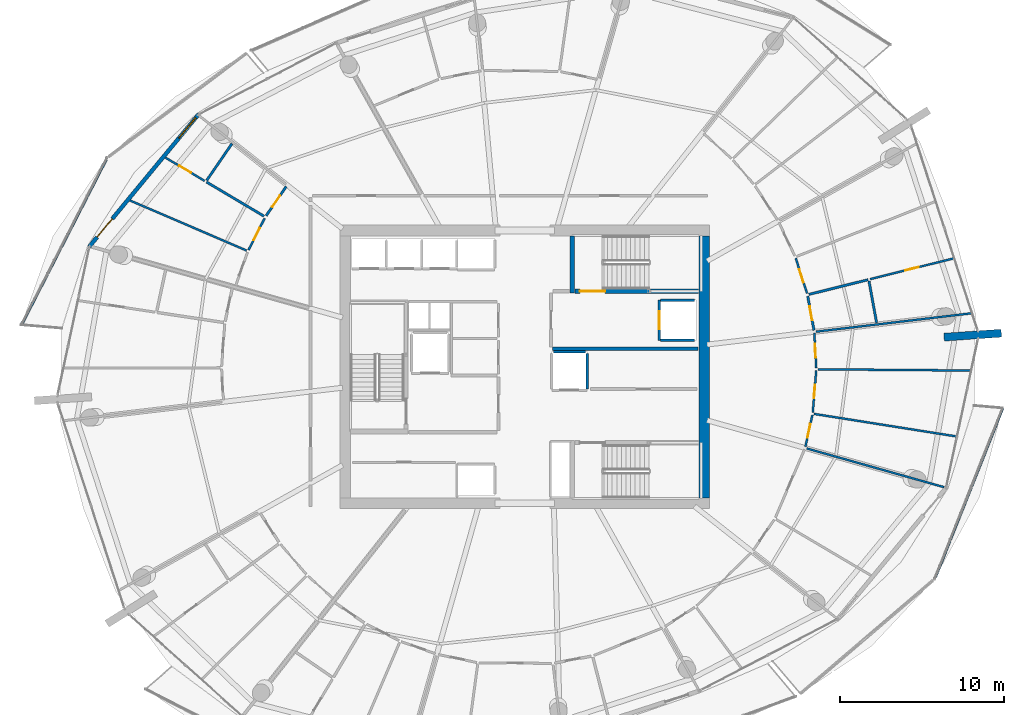
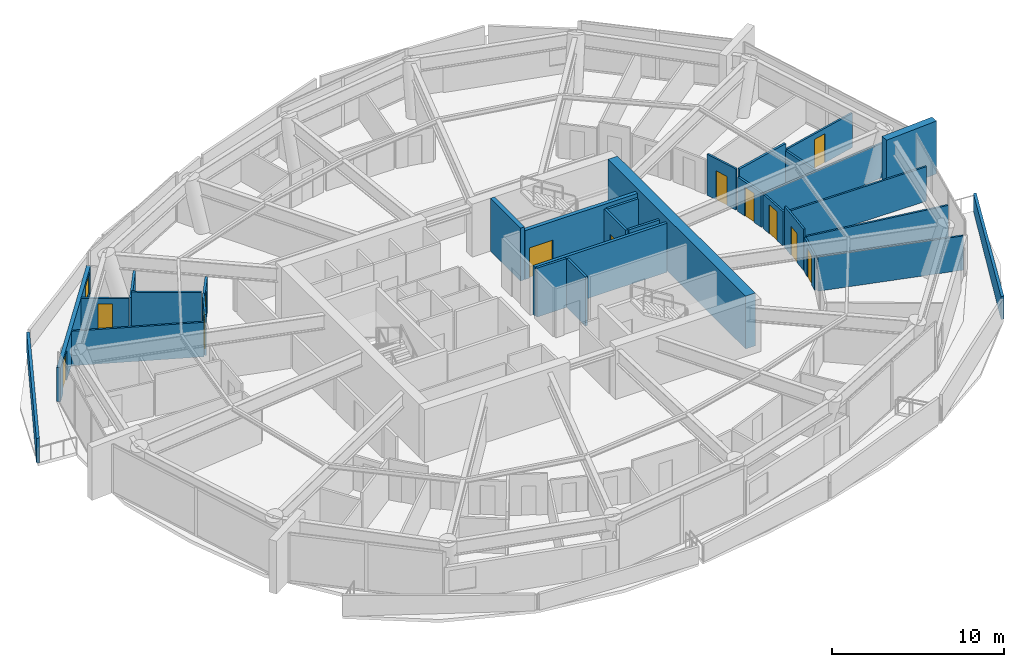
# One storey, part 13 of 20: 31 walls, 12 doors, 1 window, 13 openings.
"""IFC4 building model written with IfcOpenShell, lengths in metres."""

from ifc_helpers import new_model, si_unit, direction, frame, frame_2d, origin, place, context, subcontext, project, spatial, polyline, rectangle, outline, extrude, material, layer, layer_set, type_object, element, fill, save


model = new_model("IFC4")

# Units and contexts
model_context = context("Model", 3, precision=1e-05, world=origin(), true_north=direction((0.0, 1.0)))
body_context = subcontext(model_context, "Body", "Model", "MODEL_VIEW")
ifc_project = project(units=[si_unit("LENGTHUNIT", "METRE"), si_unit("AREAUNIT", "SQUARE_METRE"), si_unit("VOLUMEUNIT", "CUBIC_METRE"), si_unit("PLANEANGLEUNIT", "RADIAN"), si_unit("MASSUNIT", "GRAM", prefix="KILO")], contexts=[model_context])

# Site, building, storey
site_placement = place(None, origin())
site = spatial("IfcSite", under=ifc_project, at=site_placement, CompositionType="ELEMENT")
building_placement = place(site_placement, origin())
building = spatial("IfcBuilding", under=site, at=building_placement, Name="Kazma Halo Residences", CompositionType="ELEMENT")
storey_placement = place(building_placement, frame((0.0, 0.0, 221.550048828125)))
storey = spatial("IfcBuildingStorey", under=building, at=storey_placement, Name="L56", CompositionType="ELEMENT", Elevation=221.550048828125)

# Walls
ifc_material_1 = material(Name="White Concrete C50/60 Balustrade", Category="concrete")
ifc_layer_1 = layer(ifc_material_1, 0.179931640625)
ifc_layer_set_1 = layer_set([ifc_layer_1], Name="White Concrete C50/60 Balustrade")
wall_type_1 = type_object("IfcWallType", Name="WL-BAL-WAVE-180", PredefinedType="PARAPET", material=ifc_layer_set_1)
wall_1_placement = place(storey_placement, frame((22.871337890625, 54.669189453125, 0.0), z_axis=(0.0, 0.0, 1.0), x_axis=(-0.456201330326, -0.889876590437, 0.0)))
element("IfcWall", 1, at=wall_1_placement, inside=storey, type_object=wall_type_1, Name="L56 white wave balustrade wall NW.2", PredefinedType="PARAPET", context=body_context, shape_type="SweptSolid", body=[
    extrude(outline(polyline([(0.0, 0.0), (11.347412109375, 0.0), (11.347412109375, 1.7470703125), (5.673583984375, 1.56201171875), (0.0, 1.347900390625), (0.0, 0.0)])), frame((0.0, 0.08984375, 0.0), z_axis=(0.0, -1.0, 0.0), x_axis=(1.0, 0.0, 0.0)), (0.0, 0.0, 1.0), 0.179931640625),
])
wall_2_placement = place(storey_placement, frame((73.47314453125, 29.155029296875, 0.0), z_axis=(0.0, 0.0, 1.0), x_axis=(0.369781756991, 0.929118642691, 0.0)))
element("IfcWall", 2, at=wall_2_placement, inside=storey, type_object=wall_type_1, Name="L56 white wave balustrade wall SE.2", PredefinedType="PARAPET", context=body_context, shape_type="SweptSolid", body=[
    extrude(outline(polyline([(0.0, 0.0), (11.122802734375, 0.0), (11.123046875, 1.23291015625), (5.5615234375, 1.41796875), (0.0, 1.6318359375), (0.0, 0.0)])), frame((0.0, 0.08984375, 0.0), z_axis=(0.0, -1.0, 0.0), x_axis=(1.0, 0.0, 0.0)), (0.0, 0.0, 1.0), 0.179931640625),
])
ifc_material_2 = material(Name="Pale Concrete C60/75", Category="concrete")
ifc_layer_2 = layer(ifc_material_2, 0.47998046875)
ifc_layer_set_2 = layer_set([ifc_layer_2], Name="Pale Concrete C60/75")
wall_type_2 = type_object("IfcWallType", Name="WL-BLADE-480", PredefinedType="SOLIDWALL", material=ifc_layer_set_2)
wall_3_placement = place(storey_placement, frame((74.0126953125, 43.819091796875, 0.0), z_axis=(0.0, 0.0, 1.0), x_axis=(0.997568676264, 0.069690287244, 0.0)))
element("IfcWall", 3, at=wall_3_placement, inside=storey, type_object=wall_type_2, Name="L56 pale concrete structural blade fin wall BW-04", PredefinedType="SOLIDWALL", context=body_context, shape_type="SweptSolid", body=[
    extrude(rectangle(XDim=3.499755859375, YDim=0.47998046875, at=frame_2d((1.75, 0.0))), origin(), (0.0, 0.0, 1.0), 3.75),
])
ifc_material_3 = material(Name="Concrete C60/75", Category="concrete")
ifc_layer_3 = layer(ifc_material_3, 0.64990234375)
ifc_layer_set_3 = layer_set([ifc_layer_3], Name="Concrete C60/75")
wall_type_3 = type_object("IfcWallType", Name="WL-CORE-650", PredefinedType="SHEAR", material=ifc_layer_set_3)
wall_4_placement = place(storey_placement, frame((59.375, 34.0, 0.0), z_axis=(0.0, 0.0, 1.0), x_axis=(0.0, 1.0, 0.0)))
element("IfcWall", 4, at=wall_4_placement, inside=storey, type_object=wall_type_3, Name="L56 central core shear wall E", PredefinedType="SHEAR", context=body_context, shape_type="SweptSolid", body=[
    extrude(rectangle(XDim=16.0, YDim=0.64990234375, at=frame_2d((8.0, 0.0))), origin(), (0.0, 0.0, 1.0), 3.75),
])
ifc_layer_4 = layer(ifc_material_3, 0.280029296875)
ifc_layer_set_4 = layer_set([ifc_layer_4], Name="Concrete C60/75")
wall_type_4 = type_object("IfcWallType", Name="WL-CORE-ST-280", PredefinedType="SHEAR", material=ifc_layer_set_4)
wall_5_placement = place(storey_placement, frame((51.31005859375, 46.5, 0.0), z_axis=(0.0, 0.0, 1.0), x_axis=(0.0, 1.0, 0.0)))
element("IfcWall", 5, at=wall_5_placement, inside=storey, type_object=wall_type_4, Name="L56 stairwell bearing wall ST02-W", PredefinedType="SHEAR", context=body_context, shape_type="SweptSolid", body=[
    extrude(rectangle(XDim=3.5, YDim=0.280029296875, at=frame_2d((1.75, 0.0))), origin(), (0.0, 0.0, 1.0), 3.75),
])

# Wall, openings, door, window
ifc_material_4 = material(Name="Insulated Pale-Metal Composite Wall")
ifc_layer_5 = layer(ifc_material_4, 0.239990234375)
ifc_layer_set_5 = layer_set([ifc_layer_5], Name="Insulated Pale-Metal Composite Wall")
wall_type_5 = type_object("IfcWallType", Name="WL-EXT-HOST-240", PredefinedType="SOLIDWALL", material=ifc_layer_set_5)
wall_6_placement = place(storey_placement, frame((28.514892578125, 57.42431640625, 0.0), z_axis=(0.0, 0.0, 1.0), x_axis=(-0.636759394418, -0.771062561418, 0.0)))
wall_6 = element("IfcWall", 6, at=wall_6_placement, inside=storey, type_object=wall_type_5, Name="L56 exterior terrace-access wall B06", PredefinedType="SOLIDWALL", context=body_context, shape_type="SweptSolid", body=[
    extrude(rectangle(XDim=10.494384765625, YDim=0.239990234375, at=frame_2d((5.2470703125, 0.0))), origin(), (0.0, 0.0, 1.0), 2.419921875),
])
opening_1_placement = place(wall_6_placement, frame((8.2744140625, 0.0, 0.0)))
opening_1 = element("IfcOpeningElement", 7, at=opening_1_placement, cuts=wall_6, Name="Opening DTR-1600", PredefinedType="OPENING", context=body_context, shape_type="SweptSolid", body=[
    extrude(rectangle(XDim=1.449951171875, YDim=2.14990234375, at=frame_2d((0.72509765625, 1.074951171875))), frame((0.0, 0.1298828125, 0.0), z_axis=(0.0, -1.0, 0.0), x_axis=(1.0, 0.0, 0.0)), (0.0, 0.0, 1.0), 0.260009765625),
])
opening_2_placement = place(wall_6_placement, frame((0.280029296875, 0.0, 0.64990234375)))
opening_2 = element("IfcOpeningElement", 8, at=opening_2_placement, cuts=wall_6, Name="Opening W-1800", PredefinedType="OPENING", context=body_context, shape_type="SweptSolid", body=[
    extrude(rectangle(XDim=1.60009765625, YDim=1.5, at=frame_2d((0.800048828125, 0.75))), frame((0.0, 0.1298828125, 0.0), z_axis=(0.0, -1.0, 0.0), x_axis=(1.0, 0.0, 0.0)), (0.0, 0.0, 1.0), 0.260009765625),
])
ifc_material_5 = material(Name="Aluminium AW-6063 T6 Double-Glazed Terrace Door", Category="aluminium")
door_type_1 = type_object("IfcDoorType", Name="DR-EXT-TERR-1600", OperationType="NOTDEFINED", PredefinedType="DOOR", material=ifc_material_5)
door_1_placement = place(opening_1_placement, origin())
door_1 = element("IfcDoor", 9, at=door_1_placement, inside=storey, type_object=door_type_1, Name="L56 B06 balcony terrace door", OperationType="DOUBLE_DOOR_SLIDING", OverallHeight=2.14990234375, OverallWidth=1.449951171875, PredefinedType="DOOR", context=body_context, shape_type="SweptSolid", body=[
    extrude(rectangle(XDim=1.449951171875, YDim=2.14990234375, at=frame_2d((0.72509765625, 1.074951171875))), frame((0.0, 0.02490234375, 0.0), z_axis=(0.0, -1.0, 0.0), x_axis=(1.0, 0.0, 0.0)), (0.0, 0.0, 1.0), 0.050048828125),
])
fill(opening_1, door_1)
ifc_material_6 = material(Name="Clear Triple-Silver Low-E Glass in Aluminium AW-6063 T6 Frame", Category="aluminium")
window_type = type_object("IfcWindowType", Name="WIN-RES-1800", PartitioningType="DOUBLE_PANEL_VERTICAL", PredefinedType="WINDOW", material=ifc_material_6)
window_placement = place(opening_2_placement, origin())
window = element("IfcWindow", 10, at=window_placement, inside=storey, type_object=window_type, Name="L56 B06 apartment window", OverallHeight=1.5, OverallWidth=1.60009765625, PartitioningType="SINGLE_PANEL", PredefinedType="WINDOW", context=body_context, shape_type="SweptSolid", body=[
    extrude(rectangle(XDim=1.60009765625, YDim=1.5, at=frame_2d((0.800048828125, 0.75))), frame((0.0, 0.030029296875, 0.0), z_axis=(0.0, -1.0, 0.0), x_axis=(1.0, 0.0, 0.0)), (0.0, 0.0, 1.0), 0.06005859375),
])
fill(opening_2, window)

# Wall, opening, door
ifc_material_7 = material(Name="Fire-Rated Blockwork Masonry", Category="masonry")
ifc_layer_6 = layer(ifc_material_7, 0.199951171875)
ifc_layer_set_6 = layer_set([ifc_layer_6], Name="Fire-Rated Blockwork Masonry")
wall_type_6 = type_object("IfcWallType", Name="WL-FLB-200", PredefinedType="PARTITIONING", material=ifc_layer_set_6)
wall_7_placement = place(storey_placement, frame((56.6201171875, 46.080078125, 0.0), z_axis=(0.0, 0.0, 1.0), x_axis=(0.0, -1.0, 0.0)))
wall_7 = element("IfcWall", 11, at=wall_7_placement, inside=storey, type_object=wall_type_6, Name="L56 lift shaft FL-02 front wall", PredefinedType="PARTITIONING", context=body_context, shape_type="SweptSolid", body=[
    extrude(rectangle(XDim=2.4599609375, YDim=0.159912109375, at=frame_2d((1.22998046875, 0.0))), origin(), (0.0, 0.0, 1.0), 3.469970703125),
])
opening_3_placement = place(wall_7_placement, frame((0.679931640625, 0.0, 0.0)))
opening_3 = element("IfcOpeningElement", 12, at=opening_3_placement, cuts=wall_7, Name="Opening LD-FL-02", PredefinedType="OPENING", context=body_context, shape_type="SweptSolid", body=[
    extrude(rectangle(XDim=1.10009765625, YDim=2.10009765625, at=frame_2d((0.550048828125, 1.050048828125))), frame((0.0, 0.08984375, 0.0), z_axis=(0.0, -1.0, 0.0), x_axis=(1.0, 0.0, 0.0)), (0.0, 0.0, 1.0), 0.179931640625),
])
ifc_material_8 = material(Name="Stainless Steel Fire-Rated", Category="steel")
door_type_2 = type_object("IfcDoorType", Name="DR-LIFT-SLD-1100", OperationType="DOUBLE_DOOR_SLIDING", PredefinedType="DOOR", material=ifc_material_8)
door_2_placement = place(opening_3_placement, origin())
door_2 = element("IfcDoor", 13, at=door_2_placement, inside=storey, type_object=door_type_2, Name="L56 lift FL-02 sliding landing door", OperationType="DOUBLE_DOOR_SLIDING", OverallHeight=2.10009765625, OverallWidth=1.10009765625, PredefinedType="DOOR", context=body_context, shape_type="SweptSolid", body=[
    extrude(rectangle(XDim=1.10009765625, YDim=2.10009765625, at=frame_2d((0.550048828125, 1.050048828125))), frame((0.0, 0.02490234375, 0.0), z_axis=(0.0, -1.0, 0.0), x_axis=(1.0, 0.0, 0.0)), (0.0, 0.0, 1.0), 0.050048828125),
])
fill(opening_3, door_2)

# Walls
for number, where, z_axis, x_axis, name in (
    (14, (56.719970703125, 46.080078125, 0.0), (0.0, 0.0, 1.0), (1.0, 0.0, 0.0), "L56 lift shaft FL-02 side wall N"),
    (15, (56.719970703125, 43.6201171875, 0.0), (0.0, 0.0, 1.0), (1.0, 0.0, 0.0), "L56 lift shaft FL-02 side wall S"),
):
    element("IfcWall", number, at=place(storey_placement, frame(where, z_axis=z_axis, x_axis=x_axis)), inside=storey, type_object=wall_type_6, Name=name, PredefinedType="PARTITIONING", context=body_context, shape_type="SweptSolid", body=[
        extrude(rectangle(XDim=2.06005859375, YDim=0.159912109375, at=frame_2d((1.030029296875, 0.0))), origin(), (0.0, 0.0, 1.0), 3.469970703125),
    ])
wall_8_placement = place(storey_placement, frame((52.22998046875, 40.669921875, 0.0), z_axis=(0.0, 0.0, 1.0), x_axis=(0.0, 1.0, 0.0)))
element("IfcWall", 16, at=wall_8_placement, inside=storey, type_object=wall_type_6, Name="L56 lift shaft SV-01 side wall E", PredefinedType="PARTITIONING", context=body_context, shape_type="SweptSolid", body=[
    extrude(rectangle(XDim=2.16015625, YDim=0.159912109375, at=frame_2d((1.080078125, 0.0))), origin(), (0.0, 0.0, 1.0), 3.469970703125),
])
wall_9_placement = place(storey_placement, frame((50.169921875, 42.929931640625, 0.0), z_axis=(0.0, 0.0, 1.0), x_axis=(1.0, 0.0, 0.0)))
element("IfcWall", 17, at=wall_9_placement, inside=storey, type_object=wall_type_6, Name="L56 lift shaft SV-01 side wall N", PredefinedType="PARTITIONING", context=body_context, shape_type="SweptSolid", body=[
    extrude(rectangle(XDim=1.9599609375, YDim=0.159912109375, at=frame_2d((0.97998046875, 0.0))), origin(), (0.0, 0.0, 1.0), 3.469970703125),
])
wall_10_placement = place(storey_placement, frame((50.1201171875, 43.1201171875, 0.0), z_axis=(0.0, 0.0, 1.0), x_axis=(1.0, 0.0, 0.0)))
element("IfcWall", 18, at=wall_10_placement, inside=storey, type_object=wall_type_6, Name="L56 east firefighting lobby south smoke wall", PredefinedType="PARTITIONING", context=body_context, shape_type="SweptSolid", body=[
    extrude(rectangle(XDim=8.8798828125, YDim=0.199951171875, at=frame_2d((4.43994140625, 0.0))), origin(), (0.0, 0.0, 1.0), 3.469970703125),
])

# Wall, opening, door
ifc_material_9 = material(Name="Gypsum Plasterboard Partition")
ifc_layer_7 = layer(ifc_material_9, 0.125)
ifc_layer_set_7 = layer_set([ifc_layer_7], Name="Gypsum Plasterboard Partition")
wall_type_7 = type_object("IfcWallType", Name="WL-PART-125", PredefinedType="PARTITIONING", material=ifc_layer_set_7)
wall_11_placement = place(storey_placement, frame((28.881103515625, 53.357666015625, 0.0), z_axis=(0.0, 0.0, 1.0), x_axis=(-0.859746342612, 0.51072128051, 0.0)))
wall_11 = element("IfcWall", 19, at=wall_11_placement, inside=storey, type_object=wall_type_7, Name="L56 Apartment 1 Household Store Room partition wall", PredefinedType="PARTITIONING", context=body_context, shape_type="SweptSolid", body=[
    extrude(rectangle(XDim=2.78125, YDim=0.125, at=frame_2d((1.390625, 0.0))), origin(), (0.0, 0.0, 1.0), 2.445068359375),
])
opening_4_placement = place(wall_11_placement, frame((0.965576171875, 0.0, 0.0)))
opening_4 = element("IfcOpeningElement", 20, at=opening_4_placement, cuts=wall_11, Name="Opening DB-900", PredefinedType="OPENING", context=body_context, shape_type="SweptSolid", body=[
    extrude(rectangle(XDim=0.85009765625, YDim=2.06005859375, at=frame_2d((0.425048828125, 1.030029296875))), frame((0.0, 0.072509765625, 0.0), z_axis=(0.0, -1.0, 0.0), x_axis=(1.0, 0.0, 0.0)), (0.0, 0.0, 1.0), 0.14501953125),
])
ifc_material_10 = material(Name="Moisture-Sealed Timber Leaf", Category="wood")
door_type_3 = type_object("IfcDoorType", Name="DR-BTH-900", OperationType="NOTDEFINED", PredefinedType="DOOR", material=ifc_material_10)
door_3_placement = place(opening_4_placement, origin())
door_3 = element("IfcDoor", 21, at=door_3_placement, inside=storey, type_object=door_type_3, Name="L56 Apartment 1 Household Store Room door", OperationType="SINGLE_SWING_LEFT", OverallHeight=2.06005859375, OverallWidth=0.85009765625, PredefinedType="DOOR", context=body_context, shape_type="SweptSolid", body=[
    extrude(rectangle(XDim=0.85009765625, YDim=2.06005859375, at=frame_2d((0.425048828125, 1.030029296875))), frame((0.0, 0.02490234375, 0.0), z_axis=(0.0, -1.0, 0.0), x_axis=(1.0, 0.0, 0.0)), (0.0, 0.0, 1.0), 0.050048828125),
])
fill(opening_4, door_3)

# Wall
wall_12_placement = place(storey_placement, frame((31.44287109375, 49.107177734375, 0.0), z_axis=(0.0, 0.0, 1.0), x_axis=(-0.918923160155, 0.394436592789, 0.0)))
element("IfcWall", 22, at=wall_12_placement, inside=storey, type_object=wall_type_7, Name="L56 Apartment 1 suite divider 5", PredefinedType="PARTITIONING", context=body_context, shape_type="SweptSolid", body=[
    extrude(rectangle(XDim=7.74560546875, YDim=0.125, at=frame_2d((3.872802734375, 0.0))), origin(), (0.0, 0.0, 1.0), 2.445068359375),
])

# Wall, opening, door
wall_13_placement = place(storey_placement, frame((32.5458984375, 51.076171875, 0.0), z_axis=(0.0, 0.0, 1.0), x_axis=(-0.453549779993, -0.891230944855, 0.0)))
wall_13 = element("IfcWall", 23, at=wall_13_placement, inside=storey, type_object=wall_type_7, Name="L56 Apartment 1 Gourmet Kitchen hall wall", PredefinedType="PARTITIONING", context=body_context, shape_type="SweptSolid", body=[
    extrude(rectangle(XDim=2.169189453125, YDim=0.125, at=frame_2d((1.08447265625, 0.0))), origin(), (0.0, 0.0, 1.0), 2.909912109375),
])
opening_5_placement = place(wall_13_placement, frame((0.65966796875, 0.0, 0.0)))
opening_5 = element("IfcOpeningElement", 24, at=opening_5_placement, cuts=wall_13, Name="Opening DB-900", PredefinedType="OPENING", context=body_context, shape_type="SweptSolid", body=[
    extrude(rectangle(XDim=0.85009765625, YDim=2.06005859375, at=frame_2d((0.425048828125, 1.030029296875))), frame((0.0, 0.072509765625, 0.0), z_axis=(0.0, -1.0, 0.0), x_axis=(1.0, 0.0, 0.0)), (0.0, 0.0, 1.0), 0.14501953125),
])
door_4_placement = place(opening_5_placement, origin())
door_4 = element("IfcDoor", 25, at=door_4_placement, inside=storey, type_object=door_type_3, Name="L56 Apartment 1 Gourmet Kitchen door", OperationType="SINGLE_SWING_RIGHT", OverallHeight=2.06005859375, OverallWidth=0.85009765625, PredefinedType="DOOR", context=body_context, shape_type="SweptSolid", body=[
    extrude(rectangle(XDim=0.85009765625, YDim=2.06005859375, at=frame_2d((0.425048828125, 1.030029296875))), frame((0.0, 0.02490234375, 0.0), z_axis=(0.0, -1.0, 0.0), x_axis=(1.0, 0.0, 0.0)), (0.0, 0.0, 1.0), 0.050048828125),
])
fill(opening_5, door_4)

# Walls
wall_14_placement = place(storey_placement, frame((65.629150390625, 37.028076171875, 0.0), z_axis=(0.0, 0.0, 1.0), x_axis=(0.962453054575, -0.271448186105, 0.0)))
element("IfcWall", 26, at=wall_14_placement, inside=storey, type_object=wall_type_7, Name="L56 Apartment 3 radial partition 14", PredefinedType="PARTITIONING", context=body_context, shape_type="SweptSolid", body=[
    extrude(rectangle(XDim=8.71337890625, YDim=0.125, at=frame_2d((4.356689453125, 0.0))), origin(), (0.0, 0.0, 1.0), 2.427001953125),
])
wall_15_placement = place(storey_placement, frame((66.08154296875, 39.135986328125, 0.0), z_axis=(0.0, 0.0, 1.0), x_axis=(0.987692071102, -0.156410909728, 0.0)))
element("IfcWall", 27, at=wall_15_placement, inside=storey, type_object=wall_type_7, Name="L56 Apartment 3 bay wall 1 14", PredefinedType="PARTITIONING", context=body_context, shape_type="SweptSolid", body=[
    extrude(rectangle(XDim=8.80810546875, YDim=0.125, at=frame_2d((4.404052734375, 0.0))), origin(), (0.0, 0.0, 1.0), 2.445068359375),
])
wall_16_placement = place(storey_placement, frame((66.306396484375, 41.856201171875, 0.0), z_axis=(0.0, 0.0, 1.0), x_axis=(0.999969244018, -0.007842896032, 0.0)))
element("IfcWall", 28, at=wall_16_placement, inside=storey, type_object=wall_type_7, Name="L56 Apartment 3 bay wall 2 14", PredefinedType="PARTITIONING", context=body_context, shape_type="SweptSolid", body=[
    extrude(rectangle(XDim=9.338623046875, YDim=0.125, at=frame_2d((4.66943359375, 0.0))), origin(), (0.0, 0.0, 1.0), 2.445068359375),
])

# Wall, opening, door
wall_17_placement = place(storey_placement, frame((65.550048828125, 37.13330078125, 0.0), z_axis=(0.0, 0.0, 1.0), x_axis=(0.214390122188, 0.976748112621, 0.0)))
wall_17 = element("IfcWall", 29, at=wall_17_placement, inside=storey, type_object=wall_type_7, Name="L56 Apartment 3 Sky Bedroom hall wall", PredefinedType="PARTITIONING", context=body_context, shape_type="SweptSolid", body=[
    extrude(rectangle(XDim=1.98486328125, YDim=0.125, at=frame_2d((0.992431640625, 0.0))), origin(), (0.0, 0.0, 1.0), 2.427001953125),
])
opening_6_placement = place(wall_17_placement, frame((0.5673828125, 0.0, 0.0)))
opening_6 = element("IfcOpeningElement", 30, at=opening_6_placement, cuts=wall_17, Name="Opening DB-900", PredefinedType="OPENING", context=body_context, shape_type="SweptSolid", body=[
    extrude(rectangle(XDim=0.85009765625, YDim=2.06005859375, at=frame_2d((0.425048828125, 1.030029296875))), frame((0.0, 0.072509765625, 0.0), z_axis=(0.0, -1.0, 0.0), x_axis=(1.0, 0.0, 0.0)), (0.0, 0.0, 1.0), 0.14501953125),
])
door_5_placement = place(opening_6_placement, origin())
door_5 = element("IfcDoor", 31, at=door_5_placement, inside=storey, type_object=door_type_3, Name="L56 Apartment 3 Sky Bedroom door", OperationType="SINGLE_SWING_RIGHT", OverallHeight=2.06005859375, OverallWidth=0.85009765625, PredefinedType="DOOR", context=body_context, shape_type="SweptSolid", body=[
    extrude(rectangle(XDim=0.85009765625, YDim=2.06005859375, at=frame_2d((0.425048828125, 1.030029296875))), frame((0.0, 0.02490234375, 0.0), z_axis=(0.0, -1.0, 0.0), x_axis=(1.0, 0.0, 0.0)), (0.0, 0.0, 1.0), 0.050048828125),
])
fill(opening_6, door_5)

wall_18_placement = place(storey_placement, frame((65.999267578125, 39.22998046875, 0.0), z_axis=(0.0, 0.0, 1.0), x_axis=(0.082341873898, 0.996604141976, 0.0)))
wall_18 = element("IfcWall", 32, at=wall_18_placement, inside=storey, type_object=wall_type_7, Name="L56 Apartment 3 Gulf Study hall wall", PredefinedType="PARTITIONING", context=body_context, shape_type="SweptSolid", body=[
    extrude(rectangle(XDim=2.555908203125, YDim=0.125, at=frame_2d((1.27783203125, 0.0))), origin(), (0.0, 0.0, 1.0), 2.909912109375),
])
opening_7_placement = place(wall_18_placement, frame((0.85302734375, 0.0, 0.0)))
opening_7 = element("IfcOpeningElement", 33, at=opening_7_placement, cuts=wall_18, Name="Opening DB-900", PredefinedType="OPENING", context=body_context, shape_type="SweptSolid", body=[
    extrude(rectangle(XDim=0.85009765625, YDim=2.06005859375, at=frame_2d((0.425048828125, 1.030029296875))), frame((0.0, 0.072509765625, 0.0), z_axis=(0.0, -1.0, 0.0), x_axis=(1.0, 0.0, 0.0)), (0.0, 0.0, 1.0), 0.14501953125),
])
door_6_placement = place(opening_7_placement, origin())
door_6 = element("IfcDoor", 34, at=door_6_placement, inside=storey, type_object=door_type_3, Name="L56 Apartment 3 Gulf Study door", OperationType="SINGLE_SWING_LEFT", OverallHeight=2.06005859375, OverallWidth=0.85009765625, PredefinedType="DOOR", context=body_context, shape_type="SweptSolid", body=[
    extrude(rectangle(XDim=0.85009765625, YDim=2.06005859375, at=frame_2d((0.425048828125, 1.030029296875))), frame((0.0, 0.02490234375, 0.0), z_axis=(0.0, -1.0, 0.0), x_axis=(1.0, 0.0, 0.0)), (0.0, 0.0, 1.0), 0.050048828125),
])
fill(opening_7, door_6)

wall_19_placement = place(storey_placement, frame((66.2119140625, 41.936767578125, 0.0), z_axis=(0.0, 0.0, 1.0), x_axis=(-0.054847218402, 0.998494758441, 0.0)))
wall_19 = element("IfcWall", 35, at=wall_19_placement, inside=storey, type_object=wall_type_7, Name="L56 Apartment 3 Primary Bedroom hall wall", PredefinedType="PARTITIONING", context=body_context, shape_type="SweptSolid", body=[
    extrude(rectangle(XDim=2.127685546875, YDim=0.125, at=frame_2d((1.06396484375, 0.0))), origin(), (0.0, 0.0, 1.0), 2.427001953125),
])
opening_8_placement = place(wall_19_placement, frame((0.638916015625, 0.0, 0.0)))
opening_8 = element("IfcOpeningElement", 36, at=opening_8_placement, cuts=wall_19, Name="Opening DB-900", PredefinedType="OPENING", context=body_context, shape_type="SweptSolid", body=[
    extrude(rectangle(XDim=0.85009765625, YDim=2.06005859375, at=frame_2d((0.425048828125, 1.030029296875))), frame((0.0, 0.072509765625, 0.0), z_axis=(0.0, -1.0, 0.0), x_axis=(1.0, 0.0, 0.0)), (0.0, 0.0, 1.0), 0.14501953125),
])
door_7_placement = place(opening_8_placement, origin())
door_7 = element("IfcDoor", 37, at=door_7_placement, inside=storey, type_object=door_type_3, Name="L56 Apartment 3 Primary Bedroom door", OperationType="SINGLE_SWING_RIGHT", OverallHeight=2.06005859375, OverallWidth=0.85009765625, PredefinedType="DOOR", context=body_context, shape_type="SweptSolid", body=[
    extrude(rectangle(XDim=0.85009765625, YDim=2.06005859375, at=frame_2d((0.425048828125, 1.030029296875))), frame((0.0, 0.02490234375, 0.0), z_axis=(0.0, -1.0, 0.0), x_axis=(1.0, 0.0, 0.0)), (0.0, 0.0, 1.0), 0.050048828125),
])
fill(opening_8, door_7)

# Wall
wall_20_placement = place(storey_placement, frame((66.18994140625, 44.153076171875, 0.0), z_axis=(0.0, 0.0, 1.0), x_axis=(0.993069463199, 0.117528895429, 0.0)))
element("IfcWall", 38, at=wall_20_placement, inside=storey, type_object=wall_type_7, Name="L56 Apartment 3 radial partition 15", PredefinedType="PARTITIONING", context=body_context, shape_type="SweptSolid", body=[
    extrude(rectangle(XDim=9.578369140625, YDim=0.125, at=frame_2d((4.7890625, 0.0))), origin(), (0.0, 0.0, 1.0), 2.427001953125),
])

# Wall, opening, door
wall_21_placement = place(storey_placement, frame((69.499267578125, 47.3583984375, 0.0), z_axis=(0.0, 0.0, 1.0), x_axis=(0.970316697951, 0.241837767269, 0.0)))
wall_21 = element("IfcWall", 39, at=wall_21_placement, inside=storey, type_object=wall_type_7, Name="L56 Apartment 3 East Walk-In Wardrobe partition wall", PredefinedType="PARTITIONING", context=body_context, shape_type="SweptSolid", body=[
    extrude(rectangle(XDim=5.268798828125, YDim=0.125, at=frame_2d((2.63427734375, 0.0))), origin(), (0.0, 0.0, 1.0), 2.445068359375),
])
opening_9_placement = place(wall_21_placement, frame((2.209228515625, 0.0, 0.0)))
opening_9 = element("IfcOpeningElement", 40, at=opening_9_placement, cuts=wall_21, Name="Opening DB-900", PredefinedType="OPENING", context=body_context, shape_type="SweptSolid", body=[
    extrude(rectangle(XDim=0.85009765625, YDim=2.06005859375, at=frame_2d((0.425048828125, 1.030029296875))), frame((0.0, 0.072509765625, 0.0), z_axis=(0.0, -1.0, 0.0), x_axis=(1.0, 0.0, 0.0)), (0.0, 0.0, 1.0), 0.14501953125),
])
door_8_placement = place(opening_9_placement, origin())
door_8 = element("IfcDoor", 41, at=door_8_placement, inside=storey, type_object=door_type_3, Name="L56 Apartment 3 East Walk-In Wardrobe door", OperationType="SINGLE_SWING_LEFT", OverallHeight=2.06005859375, OverallWidth=0.85009765625, PredefinedType="DOOR", context=body_context, shape_type="SweptSolid", body=[
    extrude(rectangle(XDim=0.85009765625, YDim=2.06005859375, at=frame_2d((0.425048828125, 1.030029296875))), frame((0.0, 0.02490234375, 0.0), z_axis=(0.0, -1.0, 0.0), x_axis=(1.0, 0.0, 0.0)), (0.0, 0.0, 1.0), 0.050048828125),
])
fill(opening_9, door_8)

wall_22_placement = place(storey_placement, frame((65.648681640625, 46.4912109375, 0.0), z_axis=(0.0, 0.0, 1.0), x_axis=(-0.30574263326, 0.952114195991, 0.0)))
wall_22 = element("IfcWall", 42, at=wall_22_placement, inside=storey, type_object=wall_type_7, Name="L56 Apartment 3 West Private Study hall wall", PredefinedType="PARTITIONING", context=body_context, shape_type="SweptSolid", body=[
    extrude(rectangle(XDim=2.25341796875, YDim=0.125, at=frame_2d((1.126708984375, 0.0))), origin(), (0.0, 0.0, 1.0), 2.909912109375),
])
opening_10_placement = place(wall_22_placement, frame((0.70166015625, 0.0, 0.0)))
opening_10 = element("IfcOpeningElement", 43, at=opening_10_placement, cuts=wall_22, Name="Opening DB-900", PredefinedType="OPENING", context=body_context, shape_type="SweptSolid", body=[
    extrude(rectangle(XDim=0.85009765625, YDim=2.06005859375, at=frame_2d((0.425048828125, 1.030029296875))), frame((0.0, 0.072509765625, 0.0), z_axis=(0.0, -1.0, 0.0), x_axis=(1.0, 0.0, 0.0)), (0.0, 0.0, 1.0), 0.14501953125),
])
door_9_placement = place(opening_10_placement, origin())
door_9 = element("IfcDoor", 44, at=door_9_placement, inside=storey, type_object=door_type_3, Name="L56 Apartment 3 West Private Study door", OperationType="SINGLE_SWING_RIGHT", OverallHeight=2.06005859375, OverallWidth=0.85009765625, PredefinedType="DOOR", context=body_context, shape_type="SweptSolid", body=[
    extrude(rectangle(XDim=0.85009765625, YDim=2.06005859375, at=frame_2d((0.425048828125, 1.030029296875))), frame((0.0, 0.02490234375, 0.0), z_axis=(0.0, -1.0, 0.0), x_axis=(1.0, 0.0, 0.0)), (0.0, 0.0, 1.0), 0.050048828125),
])
fill(opening_10, door_9)

ifc_material_11 = material(Name="Concrete C50/60", Category="concrete")
ifc_layer_8 = layer(ifc_material_11, 0.25)
ifc_layer_set_8 = layer_set([ifc_layer_8], Name="Concrete C50/60")
wall_type_8 = type_object("IfcWallType", Name="WL-SHF-250", PredefinedType="SOLIDWALL", material=ifc_layer_set_8)
wall_23_placement = place(storey_placement, frame((51.47998046875, 46.6201171875, 0.0), z_axis=(0.0, 0.0, 1.0), x_axis=(1.0, 0.0, 0.0)))
wall_23 = element("IfcWall", 45, at=wall_23_placement, inside=storey, type_object=wall_type_8, Name="L56 exit stair ST-02 enclosure wall", PredefinedType="SOLIDWALL", context=body_context, shape_type="SweptSolid", body=[
    extrude(rectangle(XDim=7.5400390625, YDim=0.25, at=frame_2d((3.77001953125, 0.0))), origin(), (0.0, 0.0, 1.0), 3.469970703125),
])
opening_11_placement = place(wall_23_placement, frame((0.300048828125, 0.0, 0.0)))
opening_11 = element("IfcOpeningElement", 46, at=opening_11_placement, cuts=wall_23, Name="Opening D-ST2", PredefinedType="OPENING", context=body_context, shape_type="SweptSolid", body=[
    extrude(rectangle(XDim=1.550048828125, YDim=2.14990234375, at=frame_2d((0.77490234375, 1.074951171875))), frame((0.0, 0.135009765625, 0.0), z_axis=(0.0, -1.0, 0.0), x_axis=(1.0, 0.0, 0.0)), (0.0, 0.0, 1.0), 0.27001953125),
])
ifc_material_12 = material(Name="Fire-Rated Double Steel Leaf", Category="steel")
door_type_4 = type_object("IfcDoorType", Name="DR-FD90-1550", OperationType="NOTDEFINED", PredefinedType="DOOR", material=ifc_material_12)
door_10_placement = place(opening_11_placement, origin())
door_10 = element("IfcDoor", 47, at=door_10_placement, inside=storey, type_object=door_type_4, Name="L56 exit stair ST-02 fire door", OperationType="DOUBLE_DOOR_SINGLE_SWING", OverallHeight=2.14990234375, OverallWidth=1.550048828125, PredefinedType="DOOR", context=body_context, shape_type="SweptSolid", body=[
    extrude(rectangle(XDim=1.550048828125, YDim=2.14990234375, at=frame_2d((0.77490234375, 1.074951171875))), frame((0.0, 0.02490234375, 0.0), z_axis=(0.0, -1.0, 0.0), x_axis=(1.0, 0.0, 0.0)), (0.0, 0.0, 1.0), 0.050048828125),
])
fill(opening_11, door_10)

ifc_material_13 = material(Name="Moisture-Resistant Gypsum")
ifc_layer_9 = layer(ifc_material_13, 0.14990234375)
ifc_layer_set_9 = layer_set([ifc_layer_9], Name="Moisture-Resistant Gypsum")
wall_type_9 = type_object("IfcWallType", Name="WL-WET-150", PredefinedType="PARTITIONING", material=ifc_layer_set_9)
wall_24_placement = place(storey_placement, frame((33.8642578125, 53.0166015625, 0.0), z_axis=(0.0, 0.0, 1.0), x_axis=(-0.56614137875, -0.824308157953, 0.0)))
wall_24 = element("IfcWall", 48, at=wall_24_placement, inside=storey, type_object=wall_type_9, Name="L56 Apartment 1 Guest Bathroom hall wall", PredefinedType="PARTITIONING", context=body_context, shape_type="SweptSolid", body=[
    extrude(rectangle(XDim=2.16650390625, YDim=0.14990234375, at=frame_2d((1.083251953125, 0.0))), origin(), (0.0, 0.0, 1.0), 2.427001953125),
])
opening_12_placement = place(wall_24_placement, frame((0.658447265625, 0.0, 0.0)))
opening_12 = element("IfcOpeningElement", 49, at=opening_12_placement, cuts=wall_24, Name="Opening DB-900", PredefinedType="OPENING", context=body_context, shape_type="SweptSolid", body=[
    extrude(rectangle(XDim=0.85009765625, YDim=2.06005859375, at=frame_2d((0.425048828125, 1.030029296875))), frame((0.0, 0.0849609375, 0.0), z_axis=(0.0, -1.0, 0.0), x_axis=(1.0, 0.0, 0.0)), (0.0, 0.0, 1.0), 0.169921875),
])
door_11_placement = place(opening_12_placement, origin())
door_11 = element("IfcDoor", 50, at=door_11_placement, inside=storey, type_object=door_type_3, Name="L56 Apartment 1 Guest Bathroom door", OperationType="SINGLE_SWING_RIGHT", OverallHeight=2.06005859375, OverallWidth=0.85009765625, PredefinedType="DOOR", context=body_context, shape_type="SweptSolid", body=[
    extrude(rectangle(XDim=0.85009765625, YDim=2.06005859375, at=frame_2d((0.425048828125, 1.030029296875))), frame((0.0, 0.02490234375, 0.0), z_axis=(0.0, -1.0, 0.0), x_axis=(1.0, 0.0, 0.0)), (0.0, 0.0, 1.0), 0.050048828125),
])
fill(opening_12, door_11)

# Walls
wall_25_placement = place(storey_placement, frame((30.55029296875, 55.62939453125, 0.0), z_axis=(0.0, 0.0, 1.0), x_axis=(-0.566136620745, -0.824311425768, 0.0)))
element("IfcWall", 51, at=wall_25_placement, inside=storey, type_object=wall_type_9, Name="L56 Apartment 1 Guest Bathroom back wall", PredefinedType="PARTITIONING", context=body_context, shape_type="SweptSolid", body=[
    extrude(rectangle(XDim=2.721435546875, YDim=0.14990234375, at=frame_2d((1.36083984375, 0.0))), origin(), (0.0, 0.0, 1.0), 2.427001953125),
])
wall_26_placement = place(storey_placement, frame((32.50927734375, 51.202392578125, 0.0), z_axis=(0.0, 0.0, 1.0), x_axis=(-0.859744174922, 0.510724929573, 0.0)))
element("IfcWall", 52, at=wall_26_placement, inside=storey, type_object=wall_type_9, Name="L56 Apartment 1 Guest Bathroom side wall", PredefinedType="PARTITIONING", context=body_context, shape_type="SweptSolid", body=[
    extrude(rectangle(XDim=4.090087890625, YDim=0.14990234375, at=frame_2d((2.044921875, 0.0))), origin(), (0.0, 0.0, 1.0), 2.909912109375),
])

# Wall, opening, door
wall_27_placement = place(storey_placement, frame((66.07275390625, 44.239501953125, 0.0), z_axis=(0.0, 0.0, 1.0), x_axis=(-0.180106044943, 0.983647199241, 0.0)))
wall_27 = element("IfcWall", 53, at=wall_27_placement, inside=storey, type_object=wall_type_9, Name="L56 Apartment 3 Secondary En-Suite Bathroom hall wall", PredefinedType="PARTITIONING", context=body_context, shape_type="SweptSolid", body=[
    extrude(rectangle(XDim=2.11181640625, YDim=0.14990234375, at=frame_2d((1.055908203125, 0.0))), origin(), (0.0, 0.0, 1.0), 2.427001953125),
])
opening_13_placement = place(wall_27_placement, frame((0.631103515625, 0.0, 0.0)))
opening_13 = element("IfcOpeningElement", 54, at=opening_13_placement, cuts=wall_27, Name="Opening DB-900", PredefinedType="OPENING", context=body_context, shape_type="SweptSolid", body=[
    extrude(rectangle(XDim=0.85009765625, YDim=2.06005859375, at=frame_2d((0.425048828125, 1.030029296875))), frame((0.0, 0.0849609375, 0.0), z_axis=(0.0, -1.0, 0.0), x_axis=(1.0, 0.0, 0.0)), (0.0, 0.0, 1.0), 0.169921875),
])
door_12_placement = place(opening_13_placement, origin())
door_12 = element("IfcDoor", 55, at=door_12_placement, inside=storey, type_object=door_type_3, Name="L56 Apartment 3 Secondary En-Suite Bathroom door", OperationType="SINGLE_SWING_RIGHT", OverallHeight=2.06005859375, OverallWidth=0.85009765625, PredefinedType="DOOR", context=body_context, shape_type="SweptSolid", body=[
    extrude(rectangle(XDim=0.85009765625, YDim=2.06005859375, at=frame_2d((0.425048828125, 1.030029296875))), frame((0.0, 0.02490234375, 0.0), z_axis=(0.0, -1.0, 0.0), x_axis=(1.0, 0.0, 0.0)), (0.0, 0.0, 1.0), 0.050048828125),
])
fill(opening_13, door_12)

# Walls
wall_28_placement = place(storey_placement, frame((69.89599609375, 44.692138671875, 0.0), z_axis=(0.0, 0.0, 1.0), x_axis=(-0.180026361811, 0.983661785907, 0.0)))
element("IfcWall", 56, at=wall_28_placement, inside=storey, type_object=wall_type_9, Name="L56 Apartment 3 Secondary En-Suite Bathroom back wall", PredefinedType="PARTITIONING", context=body_context, shape_type="SweptSolid", body=[
    extrude(rectangle(XDim=2.598388671875, YDim=0.14990234375, at=frame_2d((1.29931640625, 0.0))), origin(), (0.0, 0.0, 1.0), 2.427001953125),
])
wall_29_placement = place(storey_placement, frame((65.763671875, 46.42724609375, 0.0), z_axis=(0.0, 0.0, 1.0), x_axis=(0.970315973529, 0.241840673822, 0.0)))
element("IfcWall", 57, at=wall_29_placement, inside=storey, type_object=wall_type_9, Name="L56 Apartment 3 Secondary En-Suite Bathroom side wall", PredefinedType="PARTITIONING", context=body_context, shape_type="SweptSolid", body=[
    extrude(rectangle(XDim=3.719970703125, YDim=0.14990234375, at=frame_2d((1.85986328125, 0.0))), origin(), (0.0, 0.0, 1.0), 2.909912109375),
])

save(model, "model.ifc")
